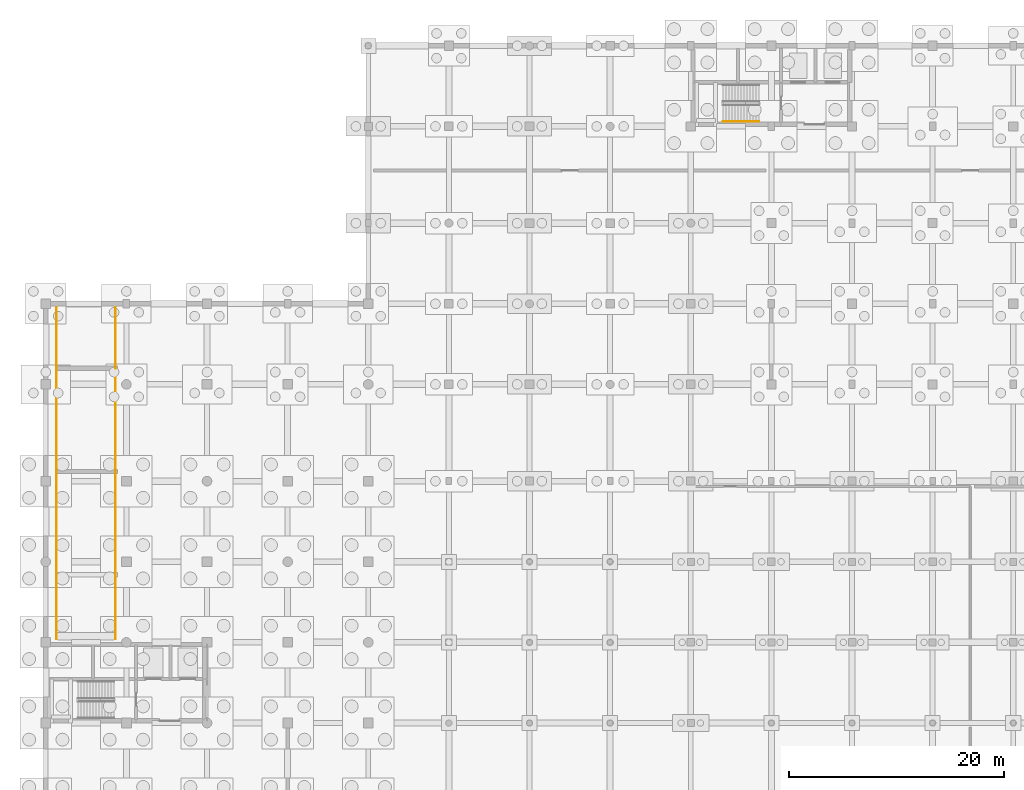
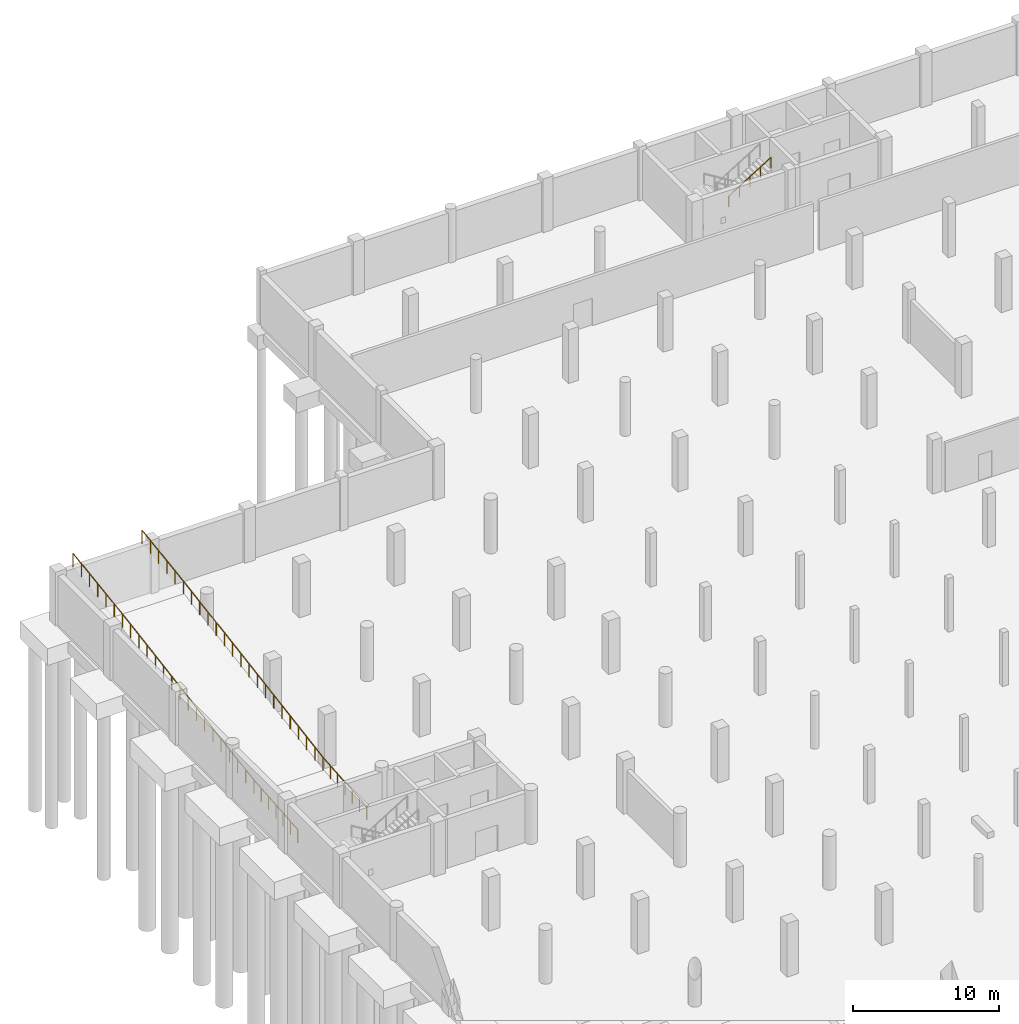
# One storey, part 37 of 42: 7 railings.
"""IFC4 building model written with IfcOpenShell, lengths in metres."""

import ifcopenshell
import ifcopenshell.guid

model = None  # the IFC model being written
_history = None  # IfcOwnerHistory: only IFC2X3 demands one
_inside = {}  # id of a spatial element -> (the spatial element, [elements in it])
_under = {}  # id of a project, library or spatial element -> (it, [spatial elements below it])
_declared = {}  # id of a project -> (the project, [libraries it declares])
_typed = {}  # id of a type object -> (the type object, [elements of that type])
_made_of = {}  # id of a material, layer set ... -> (it, [elements and type objects made of it])


def new_model(schema):
    """Start an empty IFC model of exactly this schema.

    Asked for "IFC4X3", IfcOpenShell would pick the latest addendum, in which some entities
    have other attributes; the version numbers below select the first issue.
    IFC2X3 requires an IfcOwnerHistory on every rooted entity: one is made here for all.
    """
    global model, _history
    if schema == "IFC4X3":
        model = ifcopenshell.file(schema_version=(4, 3, 0, 0))
    else:
        model = ifcopenshell.file(schema=schema)
    _inside.clear()
    _under.clear()
    _declared.clear()
    _typed.clear()
    _made_of.clear()
    _history = None
    if model.schema == "IFC2X3":
        org = make("IfcOrganization", Name="unknown")
        user = make(
            "IfcPersonAndOrganization",
            ThePerson=make("IfcPerson", FamilyName="unknown"),
            TheOrganization=org,
        )
        app = make(
            "IfcApplication",
            ApplicationDeveloper=org,
            Version="unknown",
            ApplicationFullName="unknown",
            ApplicationIdentifier="unknown",
        )
        _history = make(
            "IfcOwnerHistory",
            OwningUser=user,
            OwningApplication=app,
            ChangeAction="ADDED",
            CreationDate=0,
        )
    return model


def make(cls, **values):
    """One entity of the class cls with the attributes given. An attribute that is None is left unset."""
    return model.create_entity(
        cls, **{name: value for name, value in values.items() if value is not None}
    )


def rooted(cls, **values):
    """An entity with a GlobalId (a new one), such as an element, a storey or a relation."""
    return make(cls, GlobalId=ifcopenshell.guid.new(), OwnerHistory=_history, **values)


def si_unit(unit_type, name, prefix=None):
    """IfcSIUnit, for example si_unit("LENGTHUNIT", "METRE", prefix="MILLI")."""
    return make("IfcSIUnit", UnitType=unit_type, Prefix=prefix, Name=name)


def assignment(units):
    """IfcUnitAssignment: the units of a project."""
    return None if units is None else make("IfcUnitAssignment", Units=units)


def point(xyz):
    """IfcCartesianPoint."""
    return None if xyz is None else make("IfcCartesianPoint", Coordinates=xyz)


def direction(xyz):
    """IfcDirection."""
    return None if xyz is None else make("IfcDirection", DirectionRatios=xyz)


def frame(location, z_axis=None, x_axis=None):
    """IfcAxis2Placement3D, a coordinate frame: its origin and axes. An axis left out is left unset."""
    return make(
        "IfcAxis2Placement3D",
        Location=point(location),
        Axis=direction(z_axis),
        RefDirection=direction(x_axis),
    )


def frame_2d(location, x_axis=None):
    """IfcAxis2Placement2D, a coordinate frame in the plane: its origin and x axis."""
    return make(
        "IfcAxis2Placement2D", Location=point(location), RefDirection=direction(x_axis)
    )


def origin():
    """The frame at (0, 0, 0) with its axes left unset."""
    return frame((0.0, 0.0, 0.0))


def origin_2d():
    """The frame at (0, 0) in the plane with its x axis left unset."""
    return frame_2d((0.0, 0.0))


def place(relative_to, where):
    """IfcLocalPlacement: puts the frame where relative to a parent placement (None: the world)."""
    return make(
        "IfcLocalPlacement", PlacementRelTo=relative_to, RelativePlacement=where
    )


def context(
    kind, dimensions, precision=None, world=None, true_north=None, identifier=None
):
    """IfcGeometricRepresentationContext, for example the 3D "Model" context."""
    return make(
        "IfcGeometricRepresentationContext",
        ContextIdentifier=identifier,
        ContextType=kind,
        CoordinateSpaceDimension=dimensions,
        Precision=precision,
        WorldCoordinateSystem=world,
        TrueNorth=true_north,
    )


def subcontext(parent, identifier, kind, view, scale=None):
    """IfcGeometricRepresentationSubContext, for example "Body" below "Model"."""
    return make(
        "IfcGeometricRepresentationSubContext",
        ContextIdentifier=identifier,
        ContextType=kind,
        ParentContext=parent,
        TargetScale=scale,
        TargetView=view,
    )


def project(units=None, contexts=None):
    """IfcProject with its units and contexts."""
    return rooted(
        "IfcProject",
        Name="project",
        RepresentationContexts=contexts,
        UnitsInContext=assignment(units),
    )


def spatial(cls, under=None, at=None, **own):
    """A site, building, storey or space (cls), placed at a placement, below another one or the project."""
    s = rooted(cls, ObjectPlacement=at, **own)
    if under is not None:
        _under.setdefault(under.id(), (under, []))[1].append(s)
    return s


def profile(cls, at=None, kind="AREA", **sizes):
    """A parametric profile (cls). Its sizes go by their IFC names, for example OverallWidth=200.0."""
    return make(cls, ProfileType=kind, Position=at, **sizes)


def circle(**sizes):
    """IfcCircleProfileDef."""
    return profile("IfcCircleProfileDef", **sizes)


def extrude(swept, where, along, depth):
    """IfcExtrudedAreaSolid: the profile swept, set in the frame where, extruded along a direction by depth."""
    return make(
        "IfcExtrudedAreaSolid",
        SweptArea=swept,
        Position=where,
        ExtrudedDirection=direction(along),
        Depth=depth,
    )


def shape(context_of_items, identifier, shape_type, items):
    """IfcShapeRepresentation: the items that make up one representation, for example the "Body"."""
    return make(
        "IfcShapeRepresentation",
        ContextOfItems=context_of_items,
        RepresentationIdentifier=identifier,
        RepresentationType=shape_type,
        Items=items,
    )


def material(Name=None, Category=None):
    """IfcMaterial."""
    return make("IfcMaterial", Name=Name, Category=Category)


def made_of(thing, what):
    """Note that an element or type object is made of a material, layer set ...; save() writes the relation."""
    if what is not None:
        _made_of.setdefault(what.id(), (what, []))[1].append(thing)
    return thing


def type_object(cls, material=None, **own):
    """A type object (cls), such as IfcWallType, which elements share."""
    return made_of(rooted(cls, **own), material)


def element(
    cls,
    number,
    at=None,
    inside=None,
    cuts=None,
    type_object=None,
    material=None,
    context=None,
    identifier="Body",
    shape_type=None,
    held_by="IfcProductDefinitionShape",
    body=None,
    shapes=None,
    **own,
):
    """One element of the class cls, such as IfcWall. Its Tag is "e" and its number.

    at: its placement. inside: the storey or other place that contains it. cuts: it is an
    opening in that element (IfcRelVoidsElement). A single representation is given by context,
    identifier, shape_type and body (its items); several are given by shapes. held_by: the class
    of the entity that holds the representations. save() writes the other relations.
    """
    e = rooted(cls, Tag="e%d" % number, ObjectPlacement=at, **own)
    if body is not None:
        shapes = [shape(context, identifier, shape_type, body)]
    if shapes is not None:
        e.Representation = make(held_by, Representations=shapes)
    if inside is not None:
        _inside.setdefault(inside.id(), (inside, []))[1].append(e)
    if cuts is not None:
        rooted(
            "IfcRelVoidsElement", RelatingBuildingElement=cuts, RelatedOpeningElement=e
        )
    if type_object is not None:
        _typed.setdefault(type_object.id(), (type_object, []))[1].append(e)
    return made_of(e, material)


def aggregate(whole, parts):
    """IfcRelAggregates: a whole, such as a stair, and the parts it consists of."""
    return rooted("IfcRelAggregates", RelatingObject=whole, RelatedObjects=parts)


def save(model, path):
    """Write the relations noted so far, then the file.

    IfcRelAggregates (storeys below a building ...), IfcRelContainedInSpatialStructure (elements
    in a storey), IfcRelDefinesByType, IfcRelAssociatesMaterial and IfcRelDeclares: one each for
    every whole, place, type object, material and project.
    """
    for whole, parts in _under.values():
        aggregate(whole, parts)
    for where, things in _inside.values():
        rooted(
            "IfcRelContainedInSpatialStructure",
            RelatedElements=things,
            RelatingStructure=where,
        )
    for kind, things in _typed.values():
        rooted("IfcRelDefinesByType", RelatedObjects=things, RelatingType=kind)
    for what, things in _made_of.values():
        rooted("IfcRelAssociatesMaterial", RelatedObjects=things, RelatingMaterial=what)
    for by, libraries in _declared.values():
        rooted("IfcRelDeclares", RelatingContext=by, RelatedDefinitions=libraries)
    model.write(path)


model = new_model("IFC4")

# Units and contexts
model_context = context("Model", 3, precision=1e-05, world=origin(), true_north=direction((0.0, 1.0)))
body_context = subcontext(model_context, "Body", "Model", "MODEL_VIEW")
ifc_project = project(units=[si_unit("LENGTHUNIT", "METRE"), si_unit("AREAUNIT", "SQUARE_METRE"), si_unit("VOLUMEUNIT", "CUBIC_METRE"), si_unit("PLANEANGLEUNIT", "RADIAN"), si_unit("MASSUNIT", "GRAM", prefix="KILO")], contexts=[model_context])

# Site, building, storey
site_placement = place(None, origin())
site = spatial("IfcSite", under=ifc_project, at=site_placement, CompositionType="ELEMENT")
building_placement = place(site_placement, origin())
building = spatial("IfcBuilding", under=site, at=building_placement, Name="Dalvernix Boulevard General Hospital", CompositionType="ELEMENT")
storey_placement = place(building_placement, frame((0.0, 0.0, -4.5)))
storey = spatial("IfcBuildingStorey", under=building, at=storey_placement, Name="B1", CompositionType="ELEMENT", Elevation=-4.5)

# Railings
ifc_material_1 = material(Name="Galvanized steel ramp edge guard", Category="steel")
railing_type_1 = type_object("IfcRailingType", Name="RL-GR-RMP", PredefinedType="BALUSTRADE", material=ifc_material_1)
for number, where, name in (
    (1, (1.010009765625, 61.800048828125, 0.0), "Vehicle ramp VR-01 F1 W safety guard"),
    (2, (6.489990234375, 61.800048828125, 0.0), "Vehicle ramp VR-01 F1 E safety guard"),
):
    element("IfcRailing", number, at=place(storey_placement, frame(where)), inside=storey, type_object=railing_type_1, Name=name, PredefinedType="BALUSTRADE", context=body_context, shape_type="SweptSolid", body=[
        extrude(circle(Radius=0.02392578125, at=origin_2d()), frame((0.0, 0.0, 1.09619140625), z_axis=(0.0, 0.996545758245, 0.083045479854), x_axis=(-1.0, 0.0, 0.0)), (0.0, 0.0, 1.0), 6.020751953125),
        extrude(circle(Radius=0.02099609375, at=origin_2d()), origin(), (0.0, 0.0, 1.0), 1.072021484375),
        extrude(circle(Radius=0.02099609375, at=origin_2d()), frame((0.0, 1.0, 0.083251953125)), (0.0, 0.0, 1.0), 1.072021484375),
        extrude(circle(Radius=0.02099609375, at=origin_2d()), frame((0.0, 2.0, 0.166748046875)), (0.0, 0.0, 1.0), 1.072021484375),
        extrude(circle(Radius=0.02099609375, at=origin_2d()), frame((0.0, 3.0, 0.25)), (0.0, 0.0, 1.0), 1.072021484375),
        extrude(circle(Radius=0.02099609375, at=origin_2d()), frame((0.0, 4.0, 0.333251953125)), (0.0, 0.0, 1.0), 1.072021484375),
        extrude(circle(Radius=0.02099609375, at=origin_2d()), frame((0.0, 5.0, 0.416748046875)), (0.0, 0.0, 1.0), 1.072021484375),
        extrude(circle(Radius=0.02099609375, at=origin_2d()), frame((0.0, 6.0, 0.5)), (0.0, 0.0, 1.0), 1.072021484375),
    ])
railing_1_placement = place(storey_placement, frame((1.010009765625, 67.800048828125, 0.5)))
element("IfcRailing", 3, at=railing_1_placement, inside=storey, type_object=railing_type_1, Name="Vehicle ramp VR-01 F2 W safety guard", PredefinedType="BALUSTRADE", context=body_context, shape_type="SweptSolid", body=[
    extrude(circle(Radius=0.02392578125, at=origin_2d()), frame((0.0, 0.0, 1.09619140625), z_axis=(0.0, 0.986808217036, 0.161893615658), x_axis=(-1.0, 0.0, 0.0)), (0.0, 0.0, 1.0), 19.45654296875),
    extrude(circle(Radius=0.02099609375, at=origin_2d()), origin(), (0.0, 0.0, 1.0), 1.072021484375),
    extrude(circle(Radius=0.02099609375, at=origin_2d()), frame((0.0, 1.12939453125, 0.185302734375)), (0.0, 0.0, 1.0), 1.072021484375),
    extrude(circle(Radius=0.02099609375, at=origin_2d()), frame((0.0, 2.2587890625, 0.37060546875)), (0.0, 0.0, 1.0), 1.072021484375),
    extrude(circle(Radius=0.02099609375, at=origin_2d()), frame((0.0, 3.38818359375, 0.555908203125)), (0.0, 0.0, 1.0), 1.072021484375),
    extrude(circle(Radius=0.02099609375, at=origin_2d()), frame((0.0, 4.517578125, 0.7412109375)), (0.0, 0.0, 1.0), 1.072021484375),
    extrude(circle(Radius=0.02099609375, at=origin_2d()), frame((0.0, 5.64697265625, 0.926513671875)), (0.0, 0.0, 1.0), 1.072021484375),
    extrude(circle(Radius=0.02099609375, at=origin_2d()), frame((0.0, 6.7763671875, 1.11181640625)), (0.0, 0.0, 1.0), 1.072021484375),
    extrude(circle(Radius=0.02099609375, at=origin_2d()), frame((0.0, 7.90576171875, 1.297119140625)), (0.0, 0.0, 1.0), 1.072021484375),
    extrude(circle(Radius=0.02099609375, at=origin_2d()), frame((0.0, 9.03515625, 1.482421875)), (0.0, 0.0, 1.0), 1.072021484375),
    extrude(circle(Radius=0.02099609375, at=origin_2d()), frame((0.0, 10.164794921875, 1.66748046875)), (0.0, 0.0, 1.0), 1.072021484375),
    extrude(circle(Radius=0.02099609375, at=origin_2d()), frame((0.0, 11.294189453125, 1.852783203125)), (0.0, 0.0, 1.0), 1.072021484375),
    extrude(circle(Radius=0.02099609375, at=origin_2d()), frame((0.0, 12.423583984375, 2.0380859375)), (0.0, 0.0, 1.0), 1.072021484375),
    extrude(circle(Radius=0.02099609375, at=origin_2d()), frame((0.0, 13.552978515625, 2.223388671875)), (0.0, 0.0, 1.0), 1.072021484375),
    extrude(circle(Radius=0.02099609375, at=origin_2d()), frame((0.0, 14.682373046875, 2.40869140625)), (0.0, 0.0, 1.0), 1.072021484375),
    extrude(circle(Radius=0.02099609375, at=origin_2d()), frame((0.0, 15.811767578125, 2.593994140625)), (0.0, 0.0, 1.0), 1.072021484375),
    extrude(circle(Radius=0.02099609375, at=origin_2d()), frame((0.0, 16.941162109375, 2.779296875)), (0.0, 0.0, 1.0), 1.072021484375),
    extrude(circle(Radius=0.02099609375, at=origin_2d()), frame((0.0, 18.070556640625, 2.964599609375)), (0.0, 0.0, 1.0), 1.072021484375),
    extrude(circle(Radius=0.02099609375, at=origin_2d()), frame((0.0, 19.199951171875, 3.14990234375)), (0.0, 0.0, 1.0), 1.072021484375),
])
railing_2_placement = place(storey_placement, frame((6.489990234375, 67.800048828125, 0.5)))
element("IfcRailing", 4, at=railing_2_placement, inside=storey, type_object=railing_type_1, Name="Vehicle ramp VR-01 F2 E safety guard", PredefinedType="BALUSTRADE", context=body_context, shape_type="SweptSolid", body=[
    extrude(circle(Radius=0.02392578125, at=origin_2d()), frame((0.0, 0.0, 1.09619140625), z_axis=(0.0, 0.986808217036, 0.161893615658), x_axis=(-1.0, 0.0, 0.0)), (0.0, 0.0, 1.0), 19.45654296875),
    extrude(circle(Radius=0.02099609375, at=origin_2d()), origin(), (0.0, 0.0, 1.0), 1.072021484375),
    extrude(circle(Radius=0.02099609375, at=origin_2d()), frame((0.0, 1.12939453125, 0.185302734375)), (0.0, 0.0, 1.0), 1.072021484375),
    extrude(circle(Radius=0.02099609375, at=origin_2d()), frame((0.0, 2.2587890625, 0.37060546875)), (0.0, 0.0, 1.0), 1.072021484375),
    extrude(circle(Radius=0.02099609375, at=origin_2d()), frame((0.0, 3.38818359375, 0.555908203125)), (0.0, 0.0, 1.0), 1.072021484375),
    extrude(circle(Radius=0.02099609375, at=origin_2d()), frame((0.0, 4.517578125, 0.7412109375)), (0.0, 0.0, 1.0), 1.072021484375),
    extrude(circle(Radius=0.02099609375, at=origin_2d()), frame((0.0, 5.64697265625, 0.926513671875)), (0.0, 0.0, 1.0), 1.072021484375),
    extrude(circle(Radius=0.02099609375, at=origin_2d()), frame((0.0, 6.7763671875, 1.11181640625)), (0.0, 0.0, 1.0), 1.072021484375),
    extrude(circle(Radius=0.02099609375, at=origin_2d()), frame((0.0, 7.90576171875, 1.297119140625)), (0.0, 0.0, 1.0), 1.072021484375),
    extrude(circle(Radius=0.02099609375, at=origin_2d()), frame((0.0, 9.03515625, 1.482421875)), (0.0, 0.0, 1.0), 1.072021484375),
    extrude(circle(Radius=0.02099609375, at=origin_2d()), frame((0.0, 10.164794921875, 1.66748046875)), (0.0, 0.0, 1.0), 1.072021484375),
    extrude(circle(Radius=0.02099609375, at=origin_2d()), frame((0.0, 11.294189453125, 1.852783203125)), (0.0, 0.0, 1.0), 1.072021484375),
    extrude(circle(Radius=0.02099609375, at=origin_2d()), frame((0.0, 12.423583984375, 2.0380859375)), (0.0, 0.0, 1.0), 1.072021484375),
    extrude(circle(Radius=0.02099609375, at=origin_2d()), frame((0.0, 13.552978515625, 2.223388671875)), (0.0, 0.0, 1.0), 1.072021484375),
    extrude(circle(Radius=0.02099609375, at=origin_2d()), frame((0.0, 14.682373046875, 2.40869140625)), (0.0, 0.0, 1.0), 1.072021484375),
    extrude(circle(Radius=0.02099609375, at=origin_2d()), frame((0.0, 15.811767578125, 2.593994140625)), (0.0, 0.0, 1.0), 1.072021484375),
    extrude(circle(Radius=0.02099609375, at=origin_2d()), frame((0.0, 16.941162109375, 2.779296875)), (0.0, 0.0, 1.0), 1.072021484375),
    extrude(circle(Radius=0.02099609375, at=origin_2d()), frame((0.0, 18.070556640625, 2.964599609375)), (0.0, 0.0, 1.0), 1.072021484375),
    extrude(circle(Radius=0.02099609375, at=origin_2d()), frame((0.0, 19.199951171875, 3.14990234375)), (0.0, 0.0, 1.0), 1.072021484375),
])
for number, where, name in (
    (5, (1.010009765625, 87.0, 3.64990234375), "Vehicle ramp VR-01 F3 W safety guard"),
    (6, (6.489990234375, 87.0, 3.64990234375), "Vehicle ramp VR-01 F3 E safety guard"),
):
    element("IfcRailing", number, at=place(storey_placement, frame(where)), inside=storey, type_object=railing_type_1, Name=name, PredefinedType="BALUSTRADE", context=body_context, shape_type="SweptSolid", body=[
        extrude(circle(Radius=0.02392578125, at=origin_2d()), frame((0.0, 0.0, 1.09619140625), z_axis=(0.0, 0.990110570416, 0.140289195419), x_axis=(-1.0, 0.0, 0.0)), (0.0, 0.0, 1.0), 5.706298828125),
        extrude(circle(Radius=0.02099609375, at=origin_2d()), origin(), (0.0, 0.0, 1.0), 1.072021484375),
        extrude(circle(Radius=0.02099609375, at=origin_2d()), frame((0.0, 1.1298828125, 0.16015625)), (0.0, 0.0, 1.0), 1.072021484375),
        extrude(circle(Radius=0.02099609375, at=origin_2d()), frame((0.0, 2.260009765625, 0.3203125)), (0.0, 0.0, 1.0), 1.072021484375),
        extrude(circle(Radius=0.02099609375, at=origin_2d()), frame((0.0, 3.389892578125, 0.480224609375)), (0.0, 0.0, 1.0), 1.072021484375),
        extrude(circle(Radius=0.02099609375, at=origin_2d()), frame((0.0, 4.52001953125, 0.640380859375)), (0.0, 0.0, 1.0), 1.072021484375),
        extrude(circle(Radius=0.02099609375, at=origin_2d()), frame((0.0, 5.64990234375, 0.800537109375)), (0.0, 0.0, 1.0), 1.072021484375),
    ])
ifc_material_2 = material(Name="Brushed stainless steel wall handrail", Category="steel")
railing_type_2 = type_object("IfcRailingType", Name="RL-HR-INT1", PredefinedType="HANDRAIL", material=ifc_material_2)
railing_3_placement = place(storey_placement, frame((62.989990234375, 109.949951171875, 2.423095703125)))
element("IfcRailing", 7, at=railing_3_placement, inside=storey, type_object=railing_type_2, Name="B1 ST-03 stair handrail 2", PredefinedType="HANDRAIL", context=body_context, shape_type="SweptSolid", body=[
    extrude(circle(Radius=0.02392578125, at=origin_2d()), frame((0.0, 0.0, 0.8759765625), z_axis=(0.850623216509, 0.0, 0.525775754039), x_axis=(0.0, 1.0, 0.0)), (0.0, 0.0, 1.0), 3.9501953125),
    extrude(circle(Radius=0.02099609375, at=origin_2d()), origin(), (0.0, 0.0, 1.0), 0.851806640625),
    extrude(circle(Radius=0.02099609375, at=origin_2d()), frame((0.840087890625, 0.0, 0.519287109375)), (0.0, 0.0, 1.0), 0.851806640625),
    extrude(circle(Radius=0.02099609375, at=origin_2d()), frame((1.68017578125, 0.0, 1.03857421875)), (0.0, 0.0, 1.0), 0.851806640625),
    extrude(circle(Radius=0.02099609375, at=origin_2d()), frame((2.52001953125, 0.0, 1.5576171875)), (0.0, 0.0, 1.0), 0.851806640625),
    extrude(circle(Radius=0.02099609375, at=origin_2d()), frame((3.360107421875, 0.0, 2.076904296875)), (0.0, 0.0, 1.0), 0.851806640625),
])

save(model, "model.ifc")
